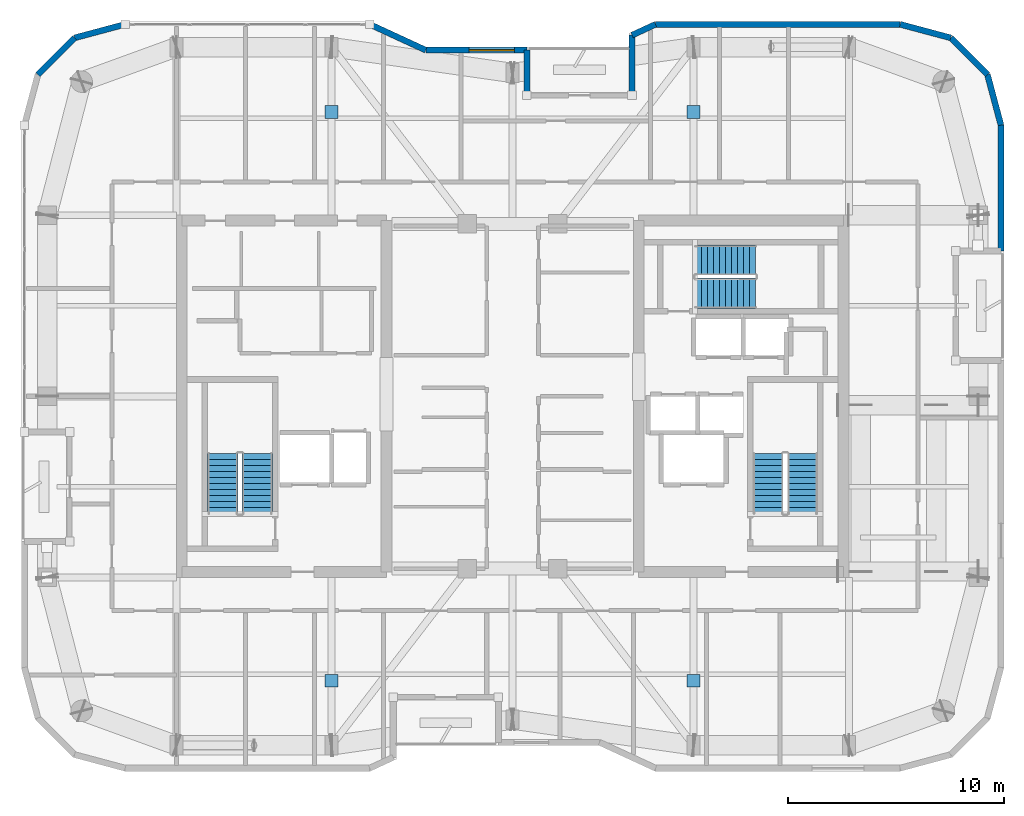
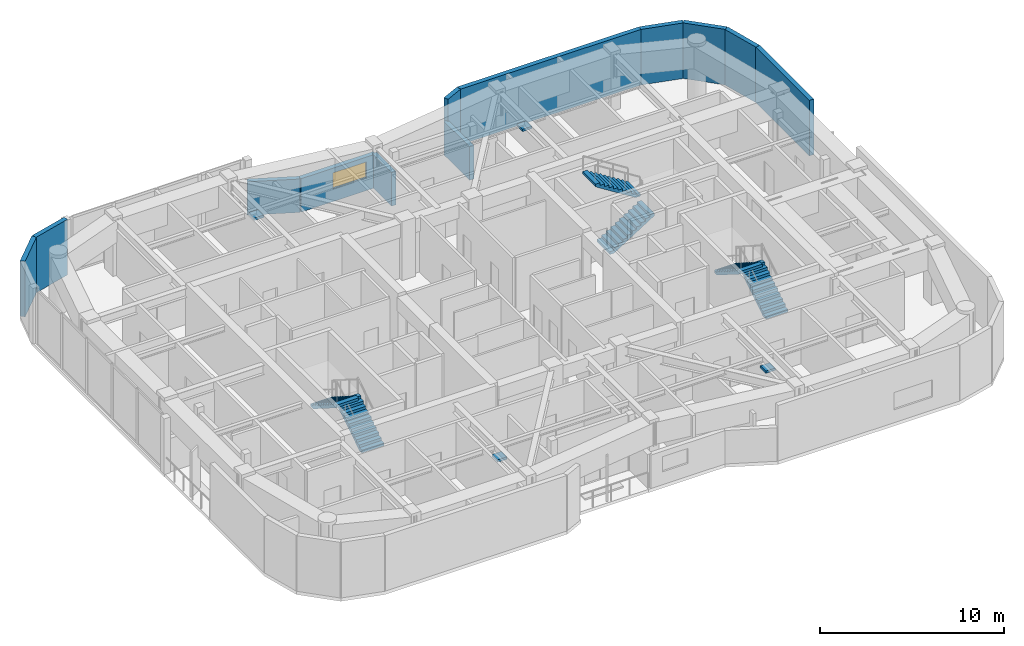
# One storey, part 14 of 16: 12 walls, 6 stair flights, 4 discrete accessories, 1 window, 1 opening, 3 elements without a shape of their own.
"""IFC4 building model written with IfcOpenShell, lengths in metres."""

from ifc_helpers import new_model, si_unit, direction, frame, frame_2d, origin, origin_2d, place, context, subcontext, project, spatial, polyline, rectangle, outline, extrude, material, layer, layer_set, type_object, element, fill, aggregate, save


model = new_model("IFC4")

# Units and contexts
model_context = context("Model", 3, precision=1e-05, world=origin(), true_north=direction((0.0, 1.0)))
body_context = subcontext(model_context, "Body", "Model", "MODEL_VIEW")
ifc_project = project(units=[si_unit("LENGTHUNIT", "METRE"), si_unit("AREAUNIT", "SQUARE_METRE"), si_unit("VOLUMEUNIT", "CUBIC_METRE"), si_unit("PLANEANGLEUNIT", "RADIAN"), si_unit("MASSUNIT", "GRAM", prefix="KILO")], contexts=[model_context])

# Site, building, storey
site_placement = place(None, origin())
site = spatial("IfcSite", under=ifc_project, at=site_placement, CompositionType="ELEMENT")
building_placement = place(site_placement, origin())
building = spatial("IfcBuilding", under=site, at=building_placement, Name="Kiyonajd Concourse Tower", CompositionType="ELEMENT")
storey_placement = place(building_placement, frame((0.0, 0.0, 346.5)))
storey = spatial("IfcBuildingStorey", under=building, at=storey_placement, Name="L87", CompositionType="ELEMENT", Elevation=346.5)

# Walls
ifc_material_1 = material(Name="Precast concrete C50/60", Category="concrete")
ifc_layer = layer(ifc_material_1, 0.280029296875)
ifc_layer_set = layer_set([ifc_layer], Name="Precast concrete C50/60")
wall_type = type_object("IfcWallType", Name="WL-EXT-280", PredefinedType="SOLIDWALL", material=ifc_layer_set)
wall_1_placement = place(storey_placement, frame((25.968505859375, 50.927490234375, 0.0), z_axis=(0.0, 0.0, 1.0), x_axis=(0.707106781187, 0.707106781187, 0.0)))
element("IfcWall", 1, at=wall_1_placement, inside=storey, type_object=wall_type, Name="L87 Exterior Concrete Frame Wall 07", PredefinedType="SOLIDWALL", context=body_context, shape_type="SweptSolid", body=[
    extrude(rectangle(XDim=2.409912109375, YDim=0.280029296875, at=frame_2d((1.205078125, 0.0))), origin(), (0.0, 0.0, 1.0), 3.679931640625),
])
wall_2_placement = place(storey_placement, frame((27.672607421875, 52.631591796875, 0.0), z_axis=(0.0, 0.0, 1.0), x_axis=(0.965937282298, 0.25877628691, 0.0)))
element("IfcWall", 2, at=wall_2_placement, inside=storey, type_object=wall_type, Name="L87 Exterior Concrete Frame Wall 08", PredefinedType="SOLIDWALL", context=body_context, shape_type="SweptSolid", body=[
    extrude(rectangle(XDim=2.428466796875, YDim=0.280029296875, at=frame_2d((1.21435546875, 0.0))), origin(), (0.0, 0.0, 1.0), 3.679931640625),
])
wall_3_placement = place(storey_placement, frame((41.369384765625, 53.260009765625, 0.0), z_axis=(0.0, 0.0, 1.0), x_axis=(0.907956889006, -0.419063584324, 0.0)))
element("IfcWall", 3, at=wall_3_placement, inside=storey, type_object=wall_type, Name="L87 Exterior Concrete Frame Wall 10", PredefinedType="SOLIDWALL", context=body_context, shape_type="SweptSolid", body=[
    extrude(rectangle(XDim=2.863525390625, YDim=0.280029296875, at=frame_2d((1.431640625, 0.0))), origin(), (0.0, 0.0, 1.0), 2.215087890625),
])

# Wall, opening, window
wall_4_placement = place(storey_placement, frame((43.96923828125, 52.06005859375, 0.0), z_axis=(0.0, 0.0, 1.0), x_axis=(1.0, 0.0, 0.0)))
wall_4 = element("IfcWall", 4, at=wall_4_placement, inside=storey, type_object=wall_type, Name="L87 Exterior Concrete Frame Wall 11", PredefinedType="SOLIDWALL", context=body_context, shape_type="SweptSolid", body=[
    extrude(rectangle(XDim=4.690673828125, YDim=0.280029296875, at=frame_2d((2.34521484375, 0.0))), origin(), (0.0, 0.0, 1.0), 2.215087890625),
])
opening_placement = place(wall_4_placement, frame((2.01611328125, 0.0, 0.85009765625)))
opening = element("IfcOpeningElement", 5, at=opening_placement, cuts=wall_4, Name="Opening WN5", PredefinedType="OPENING", context=body_context, shape_type="SweptSolid", body=[
    extrude(rectangle(XDim=2.10009765625, YDim=1.050048828125, at=frame_2d((1.050048828125, 0.52490234375))), frame((0.0, 0.14990234375, 0.0), z_axis=(0.0, -1.0, 0.0), x_axis=(1.0, 0.0, 0.0)), (0.0, 0.0, 1.0), 0.300048828125),
])
ifc_material_2 = material(Name="Double Low-E Insulated Glass", Category="glass")
window_type = type_object("IfcWindowType", Name="WN-VIS-2100x1050", PartitioningType="SINGLE_PANEL", PredefinedType="WINDOW", material=ifc_material_2)
window_placement = place(opening_placement, origin())
window = element("IfcWindow", 6, at=window_placement, inside=storey, type_object=window_type, Name="L87 Modular Facade Vision Window 11", OverallHeight=1.050048828125, OverallWidth=2.10009765625, PartitioningType="SINGLE_PANEL", PredefinedType="WINDOW", context=body_context, shape_type="SweptSolid", body=[
    extrude(rectangle(XDim=2.10009765625, YDim=1.050048828125, at=frame_2d((1.050048828125, 0.52490234375))), frame((0.0, 0.030029296875, 0.0), z_axis=(0.0, -1.0, 0.0), x_axis=(1.0, 0.0, 0.0)), (0.0, 0.0, 1.0), 0.06005859375),
])
fill(opening, window)

# Walls
wall_5_placement = place(storey_placement, frame((48.659912109375, 52.06005859375, 0.0), z_axis=(0.0, 0.0, 1.0), x_axis=(0.0, -1.0, 0.0)))
element("IfcWall", 7, at=wall_5_placement, inside=storey, type_object=wall_type, Name="L87 Exterior Concrete Frame Wall 12", PredefinedType="SOLIDWALL", context=body_context, shape_type="SweptSolid", body=[
    extrude(rectangle(XDim=2.10009765625, YDim=0.280029296875, at=frame_2d((1.050048828125, 0.0))), origin(), (0.0, 0.0, 1.0), 2.215087890625),
])
wall_6_placement = place(storey_placement, frame((53.5400390625, 49.9599609375, 0.0), z_axis=(0.0, 0.0, 1.0), x_axis=(0.0, 1.0, 0.0)))
element("IfcWall", 8, at=wall_6_placement, inside=storey, type_object=wall_type, Name="L87 Exterior Concrete Frame Wall 14", PredefinedType="SOLIDWALL", context=body_context, shape_type="SweptSolid", body=[
    extrude(rectangle(XDim=2.79638671875, YDim=0.280029296875, at=frame_2d((1.398193359375, 0.0))), origin(), (0.0, 0.0, 1.0), 2.215087890625),
])
wall_7_placement = place(storey_placement, frame((53.5400390625, 52.75634765625, 0.0), z_axis=(0.0, 0.0, 1.0), x_axis=(0.907893953211, 0.419199916176, 0.0)))
element("IfcWall", 9, at=wall_7_placement, inside=storey, type_object=wall_type, Name="L87 Exterior Concrete Frame Wall 15", PredefinedType="SOLIDWALL", context=body_context, shape_type="SweptSolid", body=[
    extrude(rectangle(XDim=1.201416015625, YDim=0.280029296875, at=frame_2d((0.6005859375, 0.0))), origin(), (0.0, 0.0, 1.0), 3.679931640625),
])
wall_8_placement = place(storey_placement, frame((54.630859375, 53.260009765625, 0.0), z_axis=(0.0, 0.0, 1.0), x_axis=(1.0, 0.0, 0.0)))
element("IfcWall", 10, at=wall_8_placement, inside=storey, type_object=wall_type, Name="L87 Exterior Concrete Frame Wall 16", PredefinedType="SOLIDWALL", context=body_context, shape_type="SweptSolid", body=[
    extrude(rectangle(XDim=11.350830078125, YDim=0.280029296875, at=frame_2d((5.67529296875, 0.0))), origin(), (0.0, 0.0, 1.0), 3.679931640625),
])
wall_9_placement = place(storey_placement, frame((65.981689453125, 53.260009765625, 0.0), z_axis=(0.0, 0.0, 1.0), x_axis=(0.965937282298, -0.25877628691, 0.0)))
element("IfcWall", 11, at=wall_9_placement, inside=storey, type_object=wall_type, Name="L87 Exterior Concrete Frame Wall 17", PredefinedType="SOLIDWALL", context=body_context, shape_type="SweptSolid", body=[
    extrude(rectangle(XDim=2.428466796875, YDim=0.280029296875, at=frame_2d((1.21435546875, 0.0))), origin(), (0.0, 0.0, 1.0), 3.679931640625),
])
wall_10_placement = place(storey_placement, frame((68.327392578125, 52.631591796875, 0.0), z_axis=(0.0, 0.0, 1.0), x_axis=(0.707106781187, -0.707106781187, 0.0)))
element("IfcWall", 12, at=wall_10_placement, inside=storey, type_object=wall_type, Name="L87 Exterior Concrete Frame Wall 18", PredefinedType="SOLIDWALL", context=body_context, shape_type="SweptSolid", body=[
    extrude(rectangle(XDim=2.409912109375, YDim=0.280029296875, at=frame_2d((1.205078125, 0.0))), origin(), (0.0, 0.0, 1.0), 3.679931640625),
])
wall_11_placement = place(storey_placement, frame((70.031494140625, 50.927490234375, 0.0), z_axis=(0.0, 0.0, 1.0), x_axis=(0.258751159445, -0.965944013639, 0.0)))
element("IfcWall", 13, at=wall_11_placement, inside=storey, type_object=wall_type, Name="L87 Exterior Concrete Frame Wall 19", PredefinedType="SOLIDWALL", context=body_context, shape_type="SweptSolid", body=[
    extrude(rectangle(XDim=2.4287109375, YDim=0.280029296875, at=frame_2d((1.21435546875, 0.0))), origin(), (0.0, 0.0, 1.0), 3.679931640625),
])
wall_12_placement = place(storey_placement, frame((70.659912109375, 48.58154296875, 0.0), z_axis=(0.0, 0.0, 1.0), x_axis=(0.0, -1.0, 0.0)))
element("IfcWall", 14, at=wall_12_placement, inside=storey, type_object=wall_type, Name="L87 Exterior Concrete Frame Wall 20", PredefinedType="SOLIDWALL", context=body_context, shape_type="SweptSolid", body=[
    extrude(rectangle(XDim=5.841552734375, YDim=0.280029296875, at=frame_2d((2.9208984375, 0.0))), origin(), (0.0, 0.0, 1.0), 3.679931640625),
])

# Stair, stair flights
ifc_material_3 = material(Name="Concrete C40/50", Category="concrete")
stair_type = type_object("IfcStairType", Name="ST-DLG-22R", PredefinedType="HALF_TURN_STAIR", material=ifc_material_3)
stair_1_placement = place(storey_placement, origin())
stair_1 = element("IfcStair", 15, at=stair_1_placement, inside=storey, type_object=stair_type, Name="L87 Protected Exit Stair ST1", PredefinedType="HALF_TURN_STAIR")
stair_flight_type = type_object("IfcStairFlightType", Name="SF-STR-22R", PredefinedType="STRAIGHT", material=ifc_material_3)
stair_flight_1_placement = place(storey_placement, frame((36.14990234375, 30.550048828125, 0.0), z_axis=(0.0, 0.0, 1.0), x_axis=(0.0, 1.0, 0.0)))
stair_flight_1 = element("IfcStairFlight", 16, at=stair_flight_1_placement, type_object=stair_flight_type, Name="ST1 flight 1", NumberOfRisers=11, NumberOfTreads=10, PredefinedType="STRAIGHT", RiserHeight=0.177272727, TreadLength=0.28, context=body_context, shape_type="SweptSolid", body=[
    extrude(outline(polyline([(0.0, 0.0), (0.0, 0.17724609375), (0.280029296875, 0.17724609375), (0.280029296875, 0.3544921875), (0.56005859375, 0.3544921875), (0.56005859375, 0.53173828125), (0.840087890625, 0.53173828125), (0.840087890625, 0.708984375), (1.1201171875, 0.708984375), (1.1201171875, 0.886474609375), (1.39990234375, 0.886474609375), (1.39990234375, 1.063720703125), (1.679931640625, 1.063720703125), (1.679931640625, 1.240966796875), (1.9599609375, 1.240966796875), (1.9599609375, 1.418212890625), (2.239990234375, 1.418212890625), (2.239990234375, 1.595458984375), (2.52001953125, 1.595458984375), (2.52001953125, 1.772705078125), (2.800048828125, 1.772705078125), (2.800048828125, 1.949951171875), (2.800048828125, 1.59521484375), (0.2802734375, 0.0), (0.0, 0.0)])), frame((0.0, 0.699951171875, 0.0), z_axis=(0.0, -1.0, 0.0), x_axis=(1.0, 0.0, 0.0)), (0.0, 0.0, 1.0), 1.39990234375),
])
stair_flight_2_placement = place(storey_placement, frame((34.550048828125, 33.35009765625, 1.949951171875), z_axis=(0.0, 0.0, 1.0), x_axis=(0.0, -1.0, 0.0)))
stair_flight_2 = element("IfcStairFlight", 17, at=stair_flight_2_placement, type_object=stair_flight_type, Name="ST1 flight 2", NumberOfRisers=11, NumberOfTreads=10, PredefinedType="STRAIGHT", RiserHeight=0.177272727, TreadLength=0.28, context=body_context, shape_type="SweptSolid", body=[
    extrude(outline(polyline([(0.0, 0.0), (0.0, 0.17724609375), (0.280029296875, 0.17724609375), (0.280029296875, 0.3544921875), (0.56005859375, 0.3544921875), (0.56005859375, 0.53173828125), (0.840087890625, 0.53173828125), (0.840087890625, 0.708984375), (1.1201171875, 0.708984375), (1.1201171875, 0.886474609375), (1.39990234375, 0.886474609375), (1.39990234375, 1.063720703125), (1.679931640625, 1.063720703125), (1.679931640625, 1.240966796875), (1.9599609375, 1.240966796875), (1.9599609375, 1.418212890625), (2.239990234375, 1.418212890625), (2.239990234375, 1.595458984375), (2.52001953125, 1.595458984375), (2.52001953125, 1.772705078125), (2.800048828125, 1.772705078125), (2.800048828125, 1.949951171875), (2.800048828125, 1.59521484375), (0.2802734375, 0.0), (0.0, 0.0)])), frame((0.0, 0.699951171875, 0.0), z_axis=(0.0, -1.0, 0.0), x_axis=(1.0, 0.0, 0.0)), (0.0, 0.0, 1.0), 1.39990234375),
])
aggregate(stair_1, [stair_flight_1, stair_flight_2])

stair_2_placement = place(storey_placement, origin())
stair_2 = element("IfcStair", 18, at=stair_2_placement, inside=storey, type_object=stair_type, Name="L87 Protected Exit Stair ST2", PredefinedType="HALF_TURN_STAIR")
stair_flight_3_placement = place(storey_placement, frame((61.449951171875, 30.550048828125, 0.0), z_axis=(0.0, 0.0, 1.0), x_axis=(0.0, 1.0, 0.0)))
stair_flight_3 = element("IfcStairFlight", 19, at=stair_flight_3_placement, type_object=stair_flight_type, Name="ST2 flight 1", NumberOfRisers=11, NumberOfTreads=10, PredefinedType="STRAIGHT", RiserHeight=0.177272727, TreadLength=0.28, context=body_context, shape_type="SweptSolid", body=[
    extrude(outline(polyline([(0.0, 0.0), (0.0, 0.17724609375), (0.280029296875, 0.17724609375), (0.280029296875, 0.3544921875), (0.56005859375, 0.3544921875), (0.56005859375, 0.53173828125), (0.840087890625, 0.53173828125), (0.840087890625, 0.708984375), (1.1201171875, 0.708984375), (1.1201171875, 0.886474609375), (1.39990234375, 0.886474609375), (1.39990234375, 1.063720703125), (1.679931640625, 1.063720703125), (1.679931640625, 1.240966796875), (1.9599609375, 1.240966796875), (1.9599609375, 1.418212890625), (2.239990234375, 1.418212890625), (2.239990234375, 1.595458984375), (2.52001953125, 1.595458984375), (2.52001953125, 1.772705078125), (2.800048828125, 1.772705078125), (2.800048828125, 1.949951171875), (2.800048828125, 1.59521484375), (0.2802734375, 0.0), (0.0, 0.0)])), frame((0.0, 0.699951171875, 0.0), z_axis=(0.0, -1.0, 0.0), x_axis=(1.0, 0.0, 0.0)), (0.0, 0.0, 1.0), 1.39990234375),
])
stair_flight_4_placement = place(storey_placement, frame((59.85009765625, 33.35009765625, 1.949951171875), z_axis=(0.0, 0.0, 1.0), x_axis=(0.0, -1.0, 0.0)))
stair_flight_4 = element("IfcStairFlight", 20, at=stair_flight_4_placement, type_object=stair_flight_type, Name="ST2 flight 2", NumberOfRisers=11, NumberOfTreads=10, PredefinedType="STRAIGHT", RiserHeight=0.177272727, TreadLength=0.28, context=body_context, shape_type="SweptSolid", body=[
    extrude(outline(polyline([(0.0, 0.0), (0.0, 0.17724609375), (0.280029296875, 0.17724609375), (0.280029296875, 0.3544921875), (0.56005859375, 0.3544921875), (0.56005859375, 0.53173828125), (0.840087890625, 0.53173828125), (0.840087890625, 0.708984375), (1.1201171875, 0.708984375), (1.1201171875, 0.886474609375), (1.39990234375, 0.886474609375), (1.39990234375, 1.063720703125), (1.679931640625, 1.063720703125), (1.679931640625, 1.240966796875), (1.9599609375, 1.240966796875), (1.9599609375, 1.418212890625), (2.239990234375, 1.418212890625), (2.239990234375, 1.595458984375), (2.52001953125, 1.595458984375), (2.52001953125, 1.772705078125), (2.800048828125, 1.772705078125), (2.800048828125, 1.949951171875), (2.800048828125, 1.59521484375), (0.2802734375, 0.0), (0.0, 0.0)])), frame((0.0, 0.699951171875, 0.0), z_axis=(0.0, -1.0, 0.0), x_axis=(1.0, 0.0, 0.0)), (0.0, 0.0, 1.0), 1.39990234375),
])
aggregate(stair_2, [stair_flight_3, stair_flight_4])

stair_3_placement = place(storey_placement, origin())
stair_3 = element("IfcStair", 21, at=stair_3_placement, inside=storey, type_object=stair_type, Name="L87 Protected Exit Stair ST3", PredefinedType="HALF_TURN_STAIR")
stair_flight_5_placement = place(storey_placement, frame((56.47998046875, 40.780029296875, 0.0), z_axis=(0.0, 0.0, 1.0), x_axis=(1.0, 0.0, 0.0)))
stair_flight_5 = element("IfcStairFlight", 22, at=stair_flight_5_placement, type_object=stair_flight_type, Name="ST3 flight 1", NumberOfRisers=11, NumberOfTreads=10, PredefinedType="STRAIGHT", RiserHeight=0.177272727, TreadLength=0.28, context=body_context, shape_type="SweptSolid", body=[
    extrude(outline(polyline([(0.0, 0.0), (0.0, 0.17724609375), (0.280029296875, 0.17724609375), (0.280029296875, 0.3544921875), (0.56005859375, 0.3544921875), (0.56005859375, 0.53173828125), (0.840087890625, 0.53173828125), (0.840087890625, 0.708984375), (1.1201171875, 0.708984375), (1.1201171875, 0.886474609375), (1.39990234375, 0.886474609375), (1.39990234375, 1.063720703125), (1.679931640625, 1.063720703125), (1.679931640625, 1.240966796875), (1.9599609375, 1.240966796875), (1.9599609375, 1.418212890625), (2.239990234375, 1.418212890625), (2.239990234375, 1.595458984375), (2.52001953125, 1.595458984375), (2.52001953125, 1.772705078125), (2.800048828125, 1.772705078125), (2.800048828125, 1.949951171875), (2.800048828125, 1.59521484375), (0.2802734375, 0.0), (0.0, 0.0)])), frame((0.0, 0.699951171875, 0.0), z_axis=(0.0, -1.0, 0.0), x_axis=(1.0, 0.0, 0.0)), (0.0, 0.0, 1.0), 1.39990234375),
])
stair_flight_6_placement = place(storey_placement, frame((59.280029296875, 42.320068359375, 1.949951171875), z_axis=(0.0, 0.0, 1.0), x_axis=(-1.0, 0.0, 0.0)))
stair_flight_6 = element("IfcStairFlight", 23, at=stair_flight_6_placement, type_object=stair_flight_type, Name="ST3 flight 2", NumberOfRisers=11, NumberOfTreads=10, PredefinedType="STRAIGHT", RiserHeight=0.177272727, TreadLength=0.28, context=body_context, shape_type="SweptSolid", body=[
    extrude(outline(polyline([(0.0, 0.0), (0.0, 0.17724609375), (0.280029296875, 0.17724609375), (0.280029296875, 0.3544921875), (0.56005859375, 0.3544921875), (0.56005859375, 0.53173828125), (0.840087890625, 0.53173828125), (0.840087890625, 0.708984375), (1.1201171875, 0.708984375), (1.1201171875, 0.886474609375), (1.39990234375, 0.886474609375), (1.39990234375, 1.063720703125), (1.679931640625, 1.063720703125), (1.679931640625, 1.240966796875), (1.9599609375, 1.240966796875), (1.9599609375, 1.418212890625), (2.239990234375, 1.418212890625), (2.239990234375, 1.595458984375), (2.52001953125, 1.595458984375), (2.52001953125, 1.772705078125), (2.800048828125, 1.772705078125), (2.800048828125, 1.949951171875), (2.800048828125, 1.59521484375), (0.2802734375, 0.0), (0.0, 0.0)])), frame((0.0, 0.699951171875, 0.0), z_axis=(0.0, -1.0, 0.0), x_axis=(1.0, 0.0, 0.0)), (0.0, 0.0, 1.0), 1.39990234375),
])
aggregate(stair_3, [stair_flight_5, stair_flight_6])

# Discrete accessories
ifc_material_4 = material(Name="Steel ASTM A572 Grade 50", Category="steel")
discrete_accessory_type = type_object("IfcDiscreteAccessoryType", Name="DA-BRK-MJ1", PredefinedType="BRACKET", material=ifc_material_4)
for number, where, z_axis, x_axis, name in (
    (24, (39.60009765625, 22.800048828125, 2.9140625), (0.0, 0.0, 1.0), (1.0, 0.0, 0.0), "L87 Sky Bridge Sliding Bearing MJ1 01"),
    (25, (56.39990234375, 22.800048828125, 2.9140625), (0.0, 0.0, 1.0), (1.0, 0.0, 0.0), "L87 Sky Bridge Sliding Bearing MJ1 02"),
    (26, (39.60009765625, 49.199951171875, 2.9140625), (0.0, 0.0, 1.0), (1.0, 0.0, 0.0), "L87 Sky Bridge Sliding Bearing MJ1 03"),
    (27, (56.39990234375, 49.199951171875, 2.9140625), (0.0, 0.0, 1.0), (1.0, 0.0, 0.0), "L87 Sky Bridge Sliding Bearing MJ1 04"),
):
    element("IfcDiscreteAccessory", number, at=place(storey_placement, frame(where, z_axis=z_axis, x_axis=x_axis)), inside=storey, type_object=discrete_accessory_type, Name=name, PredefinedType="BRACKET", context=body_context, shape_type="SweptSolid", body=[
        extrude(rectangle(XDim=0.60009765625, YDim=0.60009765625, at=origin_2d()), origin(), (0.0, 0.0, 1.0), 0.159912109375),
    ])

save(model, "model.ifc")
